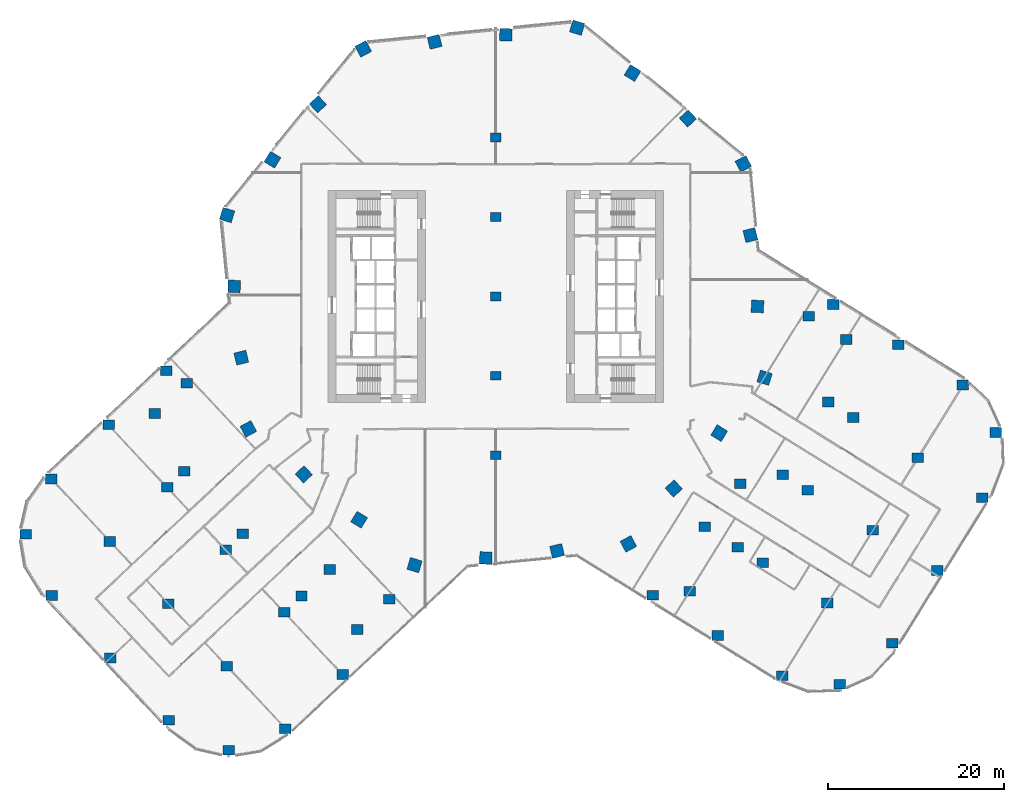
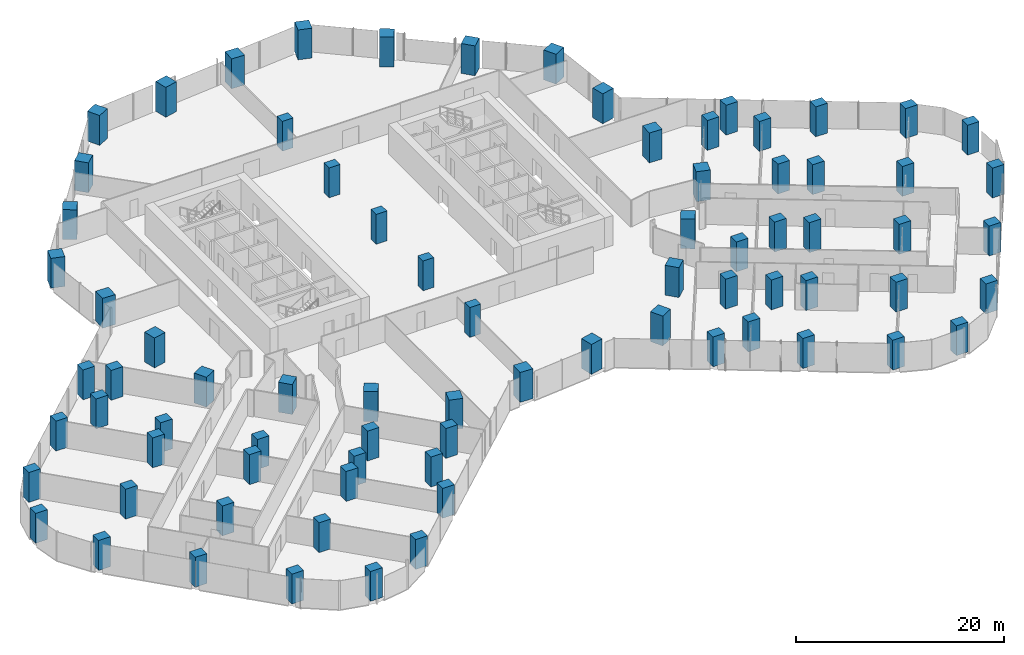
# One storey, part 1 of 33: 78 columns.
"""IFC4 building model written with IfcOpenShell, lengths in metres."""

from ifc_helpers import new_model, si_unit, direction, frame, origin, origin_2d, place, context, subcontext, project, spatial, rectangle, extrude, material, material_profile, profile_set, type_object, element, save


model = new_model("IFC4")

# Units and contexts
model_context = context("Model", 3, precision=1e-05, world=origin(), true_north=direction((0.0, 1.0)))
body_context = subcontext(model_context, "Body", "Model", "MODEL_VIEW")
ifc_project = project(units=[si_unit("LENGTHUNIT", "METRE"), si_unit("AREAUNIT", "SQUARE_METRE"), si_unit("VOLUMEUNIT", "CUBIC_METRE"), si_unit("PLANEANGLEUNIT", "RADIAN"), si_unit("MASSUNIT", "GRAM", prefix="KILO")], contexts=[model_context])

# Site, building, storey
site_placement = place(None, origin())
site = spatial("IfcSite", under=ifc_project, at=site_placement, CompositionType="ELEMENT")
building_placement = place(site_placement, origin())
building = spatial("IfcBuilding", under=site, at=building_placement, Name="Orlundy Tower", CompositionType="ELEMENT")
storey_placement = place(building_placement, frame((0.0, 0.0, 51.300048828125)))
storey = spatial("IfcBuildingStorey", under=building, at=storey_placement, Name="L11", CompositionType="ELEMENT", Elevation=51.300048828125)

# Columns
ifc_material_1 = material(Name="Concrete C80/95", Category="concrete")
ifc_material_profile_1 = material_profile(ifc_material_1, rectangle(XDim=1.199951171875, YDim=1.0, at=origin_2d()), Name="RC1200X1000")
ifc_profile_set_1 = profile_set([ifc_material_profile_1], Name="Concrete C80/95")
column_type_1 = type_object("IfcColumnType", Name="RC COLUMN RC1200X1000 C80/95", PredefinedType="COLUMN", material=ifc_profile_set_1)
for number, where, z_axis, x_axis, name in (
    (1, (0.0, -18.0, 0.0), (0.0, 0.0, 1.0), (1.0, 0.0, 0.0), "Column C-M1 L11"),
    (2, (0.0, -9.0, 0.0), (0.0, 0.0, 1.0), (1.0, 0.0, 0.0), "Column C-M2 L11"),
    (3, (0.0, 0.0, 0.0), (0.0, 0.0, 1.0), (1.0, 0.0, 0.0), "Column C-M3 L11"),
    (4, (0.0, 9.0, 0.0), (0.0, 0.0, 1.0), (1.0, 0.0, 0.0), "Column C-M4 L11"),
    (5, (0.0, 18.0, 0.0), (0.0, 0.0, 1.0), (1.0, 0.0, 0.0), "Column C-M5 L11"),
):
    element("IfcColumn", number, at=place(storey_placement, frame(where, z_axis=z_axis, x_axis=x_axis)), inside=storey, type_object=column_type_1, Name=name, PredefinedType="COLUMN", context=body_context, shape_type="SweptSolid", body=[
        extrude(rectangle(XDim=1.199951171875, YDim=1.0, at=origin_2d()), origin(), (0.0, 0.0, 1.0), 3.5),
    ])
ifc_material_2 = material(Name="Concrete C80/95", Category="concrete")
ifc_material_profile_2 = material_profile(ifc_material_2, rectangle(XDim=1.300048828125, YDim=1.10009765625, at=origin_2d()), Name="RC1300X1100")
ifc_profile_set_2 = profile_set([ifc_material_profile_2], Name="Concrete C80/95")
column_type_2 = type_object("IfcColumnType", Name="RC COLUMN RC1300X1100 C80/95", PredefinedType="COLUMN", material=ifc_profile_set_2)
for number, where, z_axis, x_axis, name in (
    (6, (17.803955078125, -33.887939453125, 0.0), (0.0, 0.0, 1.0), (1.0, 0.0, 0.0), "Column C-A1-1 L11"),
    (7, (25.138916015625, -38.44091796875, 0.0), (0.0, 0.0, 1.0), (1.0, 0.0, 0.0), "Column C-A1-2 L11"),
    (8, (32.47509765625, -42.991943359375, 0.0), (0.0, 0.0, 1.0), (1.0, 0.0, 0.0), "Column C-A1-3 L11"),
    (9, (38.968017578125, -43.958984375, 0.0), (0.0, 0.0, 1.0), (1.0, 0.0, 0.0), "Column C-A1-5 L11"),
    (10, (21.97705078125, -33.409912109375, 0.0), (0.0, 0.0, 1.0), (1.0, 0.0, 0.0), "Column C-A1-6 L11"),
    (11, (30.2548828125, -30.199951171875, 0.0), (0.0, 0.0, 1.0), (1.0, 0.0, 0.0), "Column C-A2-2 L11"),
    (12, (37.590087890625, -34.75390625, 0.0), (0.0, 0.0, 1.0), (1.0, 0.0, 0.0), "Column C-A2-3 L11"),
    (13, (44.924072265625, -39.30810546875, 0.0), (0.0, 0.0, 1.0), (1.0, 0.0, 0.0), "Column C-A2-5 L11"),
    (14, (27.423095703125, -28.44189453125, 0.0), (0.0, 0.0, 1.0), (1.0, 0.0, 0.0), "Column C-A2-6 L11"),
    (15, (23.68505859375, -26.1220703125, 0.0), (0.0, 0.0, 1.0), (1.0, 0.0, 0.0), "Column C-A2-7 L11"),
    (16, (35.37109375, -21.9599609375, 0.0), (0.0, 0.0, 1.0), (1.0, 0.0, 0.0), "Column C-A3-2 L11"),
    (17, (42.7060546875, -26.512939453125, 0.0), (0.0, 0.0, 1.0), (1.0, 0.0, 0.0), "Column C-A3-3 L11"),
    (18, (50.041015625, -31.06689453125, 0.0), (0.0, 0.0, 1.0), (1.0, 0.0, 0.0), "Column C-A3-5 L11"),
    (19, (32.5390625, -20.200927734375, 0.0), (0.0, 0.0, 1.0), (1.0, 0.0, 0.0), "Column C-A3-6 L11"),
    (20, (27.68798828125, -21.24609375, 0.0), (0.0, 0.0, 1.0), (1.0, 0.0, 0.0), "Column C-A3-7 L11"),
    (21, (40.487060546875, -13.718994140625, 0.0), (0.0, 0.0, 1.0), (1.0, 0.0, 0.0), "Column C-A4-2 L11"),
    (22, (47.822021484375, -18.27197265625, 0.0), (0.0, 0.0, 1.0), (1.0, 0.0, 0.0), "Column C-A4-3 L11"),
    (23, (55.156982421875, -22.825927734375, 0.0), (0.0, 0.0, 1.0), (1.0, 0.0, 0.0), "Column C-A4-5 L11"),
    (24, (37.655029296875, -11.9599609375, 0.0), (0.0, 0.0, 1.0), (1.0, 0.0, 0.0), "Column C-A4-6 L11"),
    (25, (38.26904296875, -0.924072265625, 0.0), (0.0, 0.0, 1.0), (1.0, 0.0, 0.0), "Column C-A5-1 L11"),
    (26, (45.60400390625, -5.47802734375, 0.0), (0.0, 0.0, 1.0), (1.0, 0.0, 0.0), "Column C-A5-2 L11"),
    (27, (52.93603515625, -10.034912109375, 0.0), (0.0, 0.0, 1.0), (1.0, 0.0, 0.0), "Column C-A5-3 L11"),
    (28, (56.68408203125, -15.425048828125, 0.0), (0.0, 0.0, 1.0), (1.0, 0.0, 0.0), "Column C-A5-5 L11"),
    (29, (39.69189453125, -4.8759765625, 0.0), (0.0, 0.0, 1.0), (1.0, 0.0, 0.0), "Column C-A5-6 L11"),
    (30, (35.444091796875, -2.238037109375, 0.0), (0.0, 0.0, 1.0), (1.0, 0.0, 0.0), "Column C-A5-7 L11"),
    (31, (-37.341064453125, -8.426025390625, 0.0), (0.0, 0.0, 1.0), (1.0, 0.0, 0.0), "Column C-B1-1 L11"),
    (32, (-43.881103515625, -14.56103515625, 0.0), (0.0, 0.0, 1.0), (1.0, 0.0, 0.0), "Column C-B1-2 L11"),
    (33, (-50.4208984375, -20.695068359375, 0.0), (0.0, 0.0, 1.0), (1.0, 0.0, 0.0), "Column C-B1-3 L11"),
    (34, (-53.27587890625, -26.947021484375, 0.0), (0.0, 0.0, 1.0), (1.0, 0.0, 0.0), "Column C-B1-5 L11"),
    (35, (-38.68896484375, -13.264892578125, 0.0), (0.0, 0.0, 1.0), (1.0, 0.0, 0.0), "Column C-B1-6 L11"),
    (36, (-35.0419921875, -9.843994140625, 0.0), (0.0, 0.0, 1.0), (1.0, 0.0, 0.0), "Column C-B1-7 L11"),
    (37, (-37.2451171875, -21.635009765625, 0.0), (0.0, 0.0, 1.0), (1.0, 0.0, 0.0), "Column C-B2-2 L11"),
    (38, (-43.784912109375, -27.77001953125, 0.0), (0.0, 0.0, 1.0), (1.0, 0.0, 0.0), "Column C-B2-3 L11"),
    (39, (-50.324951171875, -33.904052734375, 0.0), (0.0, 0.0, 1.0), (1.0, 0.0, 0.0), "Column C-B2-5 L11"),
    (40, (-35.300048828125, -19.81103515625, 0.0), (0.0, 0.0, 1.0), (1.0, 0.0, 0.0), "Column C-B2-6 L11"),
    (41, (-30.60888671875, -28.7099609375, 0.0), (0.0, 0.0, 1.0), (1.0, 0.0, 0.0), "Column C-B3-2 L11"),
    (42, (-37.14892578125, -34.844970703125, 0.0), (0.0, 0.0, 1.0), (1.0, 0.0, 0.0), "Column C-B3-3 L11"),
    (43, (-43.68896484375, -40.97900390625, 0.0), (0.0, 0.0, 1.0), (1.0, 0.0, 0.0), "Column C-B3-5 L11"),
    (44, (-28.6640625, -26.885986328125, 0.0), (0.0, 0.0, 1.0), (1.0, 0.0, 0.0), "Column C-B3-6 L11"),
    (45, (-23.972900390625, -35.784912109375, 0.0), (0.0, 0.0, 1.0), (1.0, 0.0, 0.0), "Column C-B4-2 L11"),
    (46, (-30.512939453125, -41.919921875, 0.0), (0.0, 0.0, 1.0), (1.0, 0.0, 0.0), "Column C-B4-3 L11"),
    (47, (-37.052978515625, -48.053955078125, 0.0), (0.0, 0.0, 1.0), (1.0, 0.0, 0.0), "Column C-B4-5 L11"),
    (48, (-22.028076171875, -33.9609375, 0.0), (0.0, 0.0, 1.0), (1.0, 0.0, 0.0), "Column C-B4-6 L11"),
    (49, (-18.819091796875, -30.950927734375, 0.0), (0.0, 0.0, 1.0), (1.0, 0.0, 0.0), "Column C-B4-7 L11"),
    (50, (-17.3369140625, -42.860107421875, 0.0), (0.0, 0.0, 1.0), (1.0, 0.0, 0.0), "Column C-B5-2 L11"),
    (51, (-23.876953125, -48.993896484375, 0.0), (0.0, 0.0, 1.0), (1.0, 0.0, 0.0), "Column C-B5-3 L11"),
    (52, (-30.299072265625, -51.444091796875, 0.0), (0.0, 0.0, 1.0), (1.0, 0.0, 0.0), "Column C-B5-5 L11"),
    (53, (-15.7119140625, -37.761962890625, 0.0), (0.0, 0.0, 1.0), (1.0, 0.0, 0.0), "Column C-B5-6 L11"),
    (54, (-12.06494140625, -34.341064453125, 0.0), (0.0, 0.0, 1.0), (1.0, 0.0, 0.0), "Column C-B5-7 L11"),
):
    element("IfcColumn", number, at=place(storey_placement, frame(where, z_axis=z_axis, x_axis=x_axis)), inside=storey, type_object=column_type_2, Name=name, PredefinedType="COLUMN", context=body_context, shape_type="SweptSolid", body=[
        extrude(rectangle(XDim=1.300048828125, YDim=1.10009765625, at=origin_2d()), origin(), (0.0, 0.0, 1.0), 3.5),
    ])
ifc_material_3 = material(Name="Concrete C80/95", Category="concrete")
ifc_material_profile_3 = material_profile(ifc_material_3, rectangle(XDim=1.39990234375, YDim=1.39990234375, at=origin_2d()), Name="RC1400X1400")
ifc_profile_set_3 = profile_set([ifc_material_profile_3], Name="Concrete C80/95")
column_type_3 = type_object("IfcColumnType", Name="RC COLUMN RC1400X1400 C80/95", PredefinedType="COLUMN", material=ifc_profile_set_3)
for number, where, z_axis, x_axis, name in (
    (55, (28.053955078125, 15.02099609375, 0.0), (0.0, 0.0, 1.0), (0.881583714147, 0.472027705702, 0.0), "Column C-H01 L11"),
    (56, (28.85595703125, 6.94189453125, 0.0), (0.0, 0.0, 1.0), (0.972259803901, 0.233903556449, 0.0), "Column C-H02 L11"),
    (57, (29.656982421875, -1.135986328125, 0.0), (0.0, 0.0, 1.0), (0.999266930894, -0.038283166309, 0.0), "Column C-H03 L11"),
    (58, (30.458984375, -9.215087890625, 0.0), (0.0, 0.0, 1.0), (0.957152868392, -0.289583125422, 0.0), "Column C-H04 L11"),
    (59, (25.31298828125, -15.4951171875, 0.0), (0.0, 0.0, 1.0), (0.852895403498, -0.522081823751, 0.0), "Column C-H05 L11"),
    (60, (20.1669921875, -21.77392578125, 0.0), (0.0, 0.0, 1.0), (0.679518136548, -0.733658709553, 0.0), "Column C-H06 L11"),
    (61, (15.02099609375, -28.053955078125, 0.0), (0.0, 0.0, 1.0), (0.472027705702, -0.881583714147, 0.0), "Column C-H07 L11"),
    (62, (6.94189453125, -28.85595703125, 0.0), (0.0, 0.0, 1.0), (0.233903556449, -0.972259803901, 0.0), "Column C-H08 L11"),
    (63, (-1.135986328125, -29.656982421875, 0.0), (0.0, 0.0, 1.0), (-0.038283166309, -0.999266930894, 0.0), "Column C-H09 L11"),
    (64, (-9.215087890625, -30.458984375, 0.0), (0.0, 0.0, 1.0), (-0.289583125422, -0.957152868392, 0.0), "Column C-H10 L11"),
    (65, (-15.4951171875, -25.31298828125, 0.0), (0.0, 0.0, 1.0), (-0.522081823751, -0.852895403498, 0.0), "Column C-H11 L11"),
    (66, (-21.77392578125, -20.1669921875, 0.0), (0.0, 0.0, 1.0), (-0.733658709553, -0.679518136548, 0.0), "Column C-H12 L11"),
    (67, (-28.053955078125, -15.02099609375, 0.0), (0.0, 0.0, 1.0), (-0.881583714147, -0.472027705702, 0.0), "Column C-H13 L11"),
    (68, (-28.85595703125, -6.94189453125, 0.0), (0.0, 0.0, 1.0), (-0.972259803901, -0.233903556449, 0.0), "Column C-H14 L11"),
    (69, (-29.656982421875, 1.135986328125, 0.0), (0.0, 0.0, 1.0), (-0.999266930894, 0.038283166309, 0.0), "Column C-H15 L11"),
    (70, (-30.458984375, 9.215087890625, 0.0), (0.0, 0.0, 1.0), (-0.957152868392, 0.289583125422, 0.0), "Column C-H16 L11"),
    (71, (-25.31298828125, 15.4951171875, 0.0), (0.0, 0.0, 1.0), (-0.852895403498, 0.522081823751, 0.0), "Column C-H17 L11"),
    (72, (-20.1669921875, 21.77392578125, 0.0), (0.0, 0.0, 1.0), (-0.679518136548, 0.733658709553, 0.0), "Column C-H18 L11"),
    (73, (-15.02099609375, 28.053955078125, 0.0), (0.0, 0.0, 1.0), (-0.472027705702, 0.881583714147, 0.0), "Column C-H19 L11"),
    (74, (-6.94189453125, 28.85595703125, 0.0), (0.0, 0.0, 1.0), (-0.233903556449, 0.972259803901, 0.0), "Column C-H20 L11"),
    (75, (1.135986328125, 29.656982421875, 0.0), (0.0, 0.0, 1.0), (0.038283166309, 0.999266930894, 0.0), "Column C-H21 L11"),
    (76, (9.215087890625, 30.458984375, 0.0), (0.0, 0.0, 1.0), (0.289583125422, 0.957152868392, 0.0), "Column C-H22 L11"),
    (77, (15.4951171875, 25.31298828125, 0.0), (0.0, 0.0, 1.0), (0.522081823751, 0.852895403498, 0.0), "Column C-H23 L11"),
    (78, (21.77392578125, 20.1669921875, 0.0), (0.0, 0.0, 1.0), (0.733658709553, 0.679518136548, 0.0), "Column C-H24 L11"),
):
    element("IfcColumn", number, at=place(storey_placement, frame(where, z_axis=z_axis, x_axis=x_axis)), inside=storey, type_object=column_type_3, Name=name, PredefinedType="COLUMN", context=body_context, shape_type="SweptSolid", body=[
        extrude(rectangle(XDim=1.39990234375, YDim=1.39990234375, at=origin_2d()), origin(), (0.0, 0.0, 1.0), 3.5),
    ])

save(model, "model.ifc")
